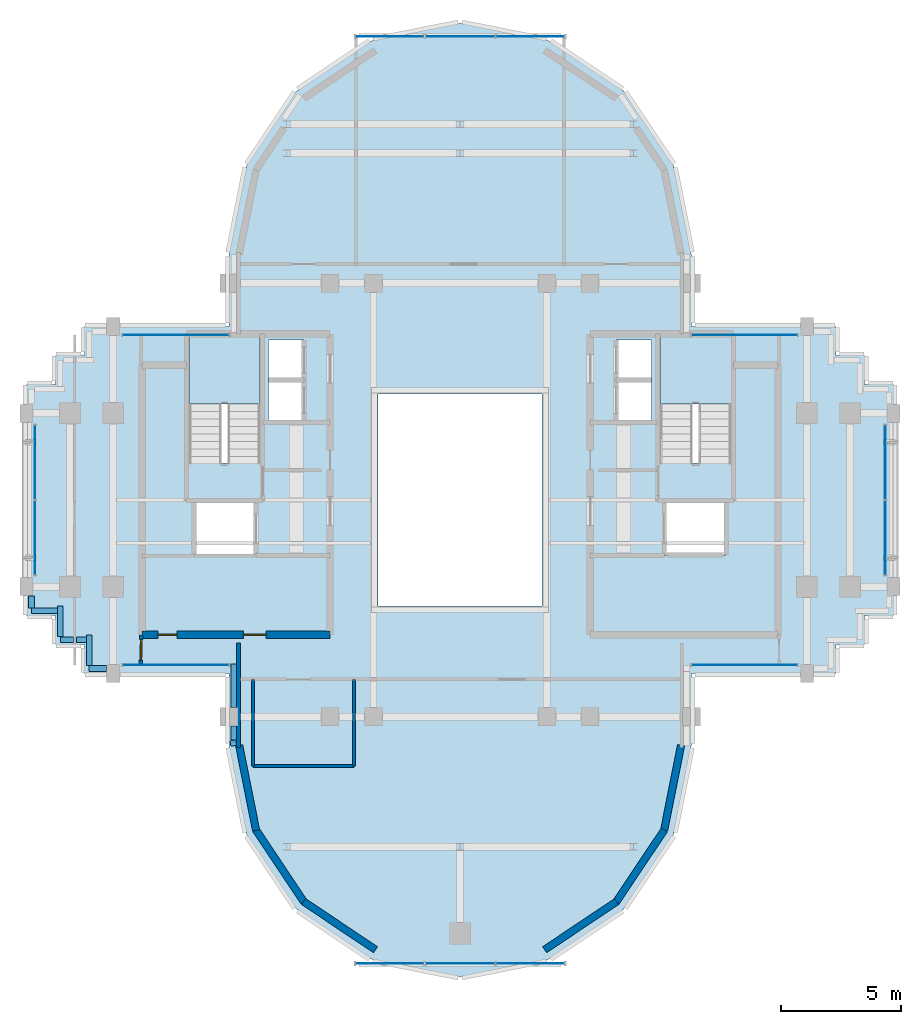
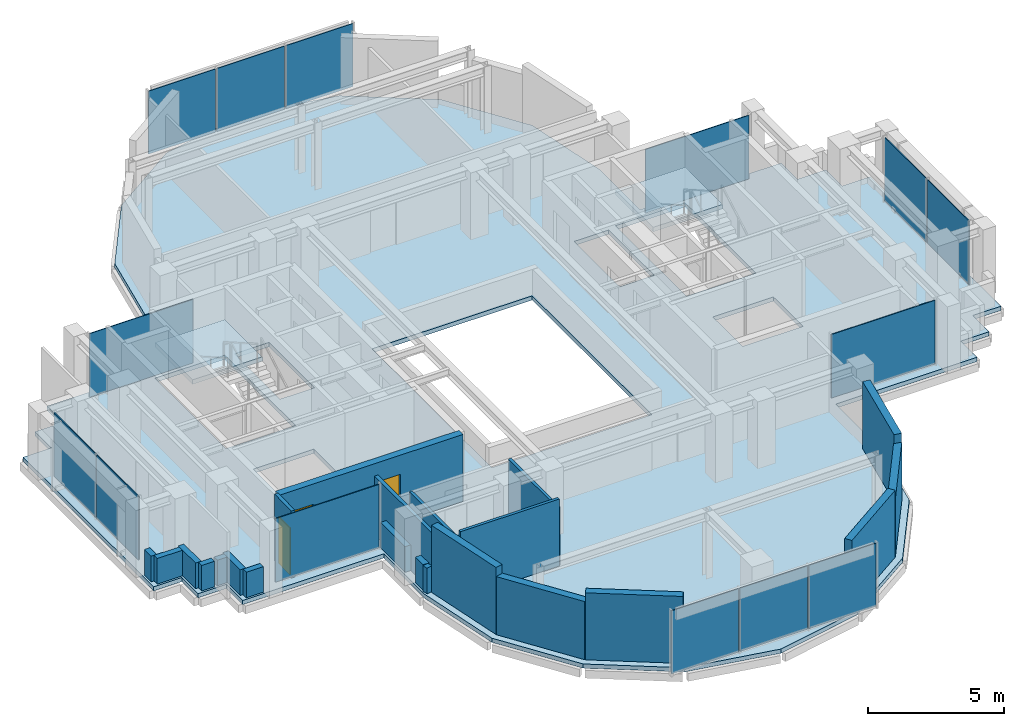
# One storey, part 7 of 12: 22 walls, 14 plates, 3 doors, 3 slabs, 3 openings, 10 elements without a shape of their own.
"""IFC4 building model written with IfcOpenShell, lengths in metres."""

from ifc_helpers import new_model, si_unit, direction, frame, frame_2d, origin, origin_2d, place, context, subcontext, project, spatial, polyline, rectangle, outline, extrude, source, transform, mapped, material, layer, layer_set, type_object, element, fill, aggregate, save


model = new_model("IFC4")

# Units and contexts
model_context = context("Model", 3, precision=1e-05, world=origin(), true_north=direction((0.0, 1.0)))
body_context = subcontext(model_context, "Body", "Model", "MODEL_VIEW")
ifc_project = project(units=[si_unit("LENGTHUNIT", "METRE"), si_unit("AREAUNIT", "SQUARE_METRE"), si_unit("VOLUMEUNIT", "CUBIC_METRE"), si_unit("PLANEANGLEUNIT", "RADIAN"), si_unit("MASSUNIT", "GRAM", prefix="KILO")], contexts=[model_context])

# Site, building, storey
site_placement = place(None, origin())
site = spatial("IfcSite", under=ifc_project, at=site_placement, CompositionType="ELEMENT")
building_placement = place(site_placement, origin())
building = spatial("IfcBuilding", under=site, at=building_placement, Name="Keilestroom Media Tower", CompositionType="ELEMENT")
storey_placement = place(building_placement, frame((0.0, 0.0, 246.0)))
storey = spatial("IfcBuildingStorey", under=building, at=storey_placement, Name="L68", CompositionType="ELEMENT", Elevation=246.0)

# Slab
ifc_material_1 = material(Name="Concrete C50/60", Category="concrete")
ifc_layer_1 = layer(ifc_material_1, 0.18994140625)
ifc_layer_set_1 = layer_set([ifc_layer_1], Name="Concrete C50/60")
slab_type_1 = type_object("IfcSlabType", Name="Composite-Floor-Slab-190", PredefinedType="FLOOR", material=ifc_layer_set_1)
slab_1_placement = place(storey_placement, frame((0.0, 0.0, -0.18994140625)))
element("IfcSlab", 1, at=slab_1_placement, inside=storey, type_object=slab_type_1, Name="L68 Structural Composite Floor Slab", PredefinedType="FLOOR", context=body_context, shape_type="SweptSolid", body=[
    extrude(outline(polyline([(18.0, -4.800048828125), (18.0, 4.800048828125), (16.800048828125, 4.800048828125), (16.800048828125, 6.0), (15.60009765625, 6.0), (15.60009765625, 7.199951171875), (9.60009765625, 7.199951171875), (9.60009765625, 9.60009765625), (9.60009765625, 10.199951171875), (8.869140625, 13.873779296875), (6.7880859375, 16.98828125), (3.673828125, 19.069091796875), (0.0, 19.800048828125), (-3.673828125, 19.069091796875), (-6.7880859375, 16.98828125), (-8.869140625, 13.873779296875), (-9.60009765625, 10.199951171875), (-9.60009765625, 9.60009765625), (-9.60009765625, 7.199951171875), (-15.60009765625, 7.199951171875), (-15.60009765625, 6.0), (-16.800048828125, 6.0), (-16.800048828125, 4.800048828125), (-18.0, 4.800048828125), (-18.0, -4.800048828125), (-16.800048828125, -4.800048828125), (-16.800048828125, -6.0), (-15.60009765625, -6.0), (-15.60009765625, -7.199951171875), (-9.60009765625, -7.199951171875), (-9.60009765625, -9.60009765625), (-9.60009765625, -10.199951171875), (-8.869140625, -13.873779296875), (-6.7880859375, -16.98828125), (-3.673828125, -19.069091796875), (0.0, -19.800048828125), (3.673828125, -19.069091796875), (6.7880859375, -16.98828125), (8.869140625, -13.873779296875), (9.60009765625, -10.199951171875), (9.60009765625, -9.60009765625), (9.60009765625, -7.199951171875), (15.60009765625, -7.199951171875), (15.60009765625, -6.0), (16.800048828125, -6.0), (16.800048828125, -4.800048828125), (18.0, -4.800048828125)]), holes=[polyline([(-8.300048828125, 1.544921875), (-11.260009765625, 1.544921875), (-11.260009765625, 6.760009765625), (-8.300048828125, 6.760009765625), (-8.300048828125, 1.544921875)]), polyline([(-8.47998046875, -2.280029296875), (-11.050048828125, -2.280029296875), (-11.050048828125, -0.10009765625), (-8.47998046875, -0.10009765625), (-8.47998046875, -2.280029296875)]), polyline([(-6.47998046875, 3.300048828125), (-7.949951171875, 3.300048828125), (-7.949951171875, 6.64990234375), (-6.47998046875, 6.64990234375), (-6.47998046875, 3.300048828125)]), polyline([(3.39990234375, -4.39990234375), (-3.39990234375, -4.39990234375), (-3.39990234375, 4.39990234375), (3.39990234375, 4.39990234375), (3.39990234375, -4.39990234375)]), polyline([(7.949951171875, 3.300048828125), (6.47998046875, 3.300048828125), (6.47998046875, 6.64990234375), (7.949951171875, 6.64990234375), (7.949951171875, 3.300048828125)]), polyline([(11.260009765625, 1.544921875), (8.300048828125, 1.544921875), (8.300048828125, 6.760009765625), (11.260009765625, 6.760009765625), (11.260009765625, 1.544921875)]), polyline([(11.050048828125, -2.280029296875), (8.47998046875, -2.280029296875), (8.47998046875, -0.10009765625), (11.050048828125, -0.10009765625), (11.050048828125, -2.280029296875)])]), origin(), (0.0, 0.0, 1.0), 0.18994140625),
])

# Stair, slab
ifc_material_2 = material(Name="Concrete C45/55", Category="concrete")
stair_type = type_object("IfcStairType", Name="Enclosed-Dog-Leg-Stair-ST-CORE", PredefinedType="HALF_TURN_STAIR", material=ifc_material_2)
stair_1_placement = place(storey_placement, origin())
stair_1 = element("IfcStair", 2, at=stair_1_placement, inside=storey, type_object=stair_type, Name="L68 West Core Escape Stair ST-1", PredefinedType="HALF_TURN_STAIR")
ifc_layer_2 = layer(ifc_material_2, 0.199951171875)
ifc_layer_set_2 = layer_set([ifc_layer_2], Name="Concrete C45/55")
slab_type_2 = type_object("IfcSlabType", Name="Stair-Intermediate-And-Top-Landing-Slab-200", PredefinedType="LANDING", material=ifc_layer_set_2)
slab_2_placement = place(storey_placement, frame((0.0, 0.0, 1.39990234375)))
slab_2 = element("IfcSlab", 3, at=slab_2_placement, type_object=slab_type_2, Name="ST-1 landing 1", PredefinedType="LANDING", context=body_context, shape_type="SweptSolid", body=[
    extrude(outline(polyline([(-8.300048828125, 3.99609375), (-8.300048828125, 6.760009765625), (-11.260009765625, 6.760009765625), (-11.260009765625, 3.99609375), (-8.300048828125, 3.99609375)])), origin(), (0.0, 0.0, 1.0), 0.2001953125),
])
aggregate(stair_1, [slab_2])

stair_2_placement = place(storey_placement, origin())
stair_2 = element("IfcStair", 4, at=stair_2_placement, inside=storey, type_object=stair_type, Name="L68 East Core Escape Stair ST-2", PredefinedType="HALF_TURN_STAIR")
slab_3_placement = place(storey_placement, frame((0.0, 0.0, 1.39990234375)))
slab_3 = element("IfcSlab", 5, at=slab_3_placement, type_object=slab_type_2, Name="ST-2 landing 1", PredefinedType="LANDING", context=body_context, shape_type="SweptSolid", body=[
    extrude(outline(polyline([(11.260009765625, 3.99609375), (11.260009765625, 6.760009765625), (8.300048828125, 6.760009765625), (8.300048828125, 3.99609375), (11.260009765625, 3.99609375)])), origin(), (0.0, 0.0, 1.0), 0.2001953125),
])
aggregate(stair_2, [slab_3])

# Curtain wall, plates
ifc_material_3 = material(Name="Anodised Aluminium Alloy", Category="aluminium")
curtain_wall_type_1 = type_object("IfcCurtainWallType", Name="Unitised-Curtain-Wall-CW-6", PredefinedType="NOTDEFINED", material=ifc_material_3)
curtain_wall_1_placement = place(storey_placement, origin())
curtain_wall_1 = element("IfcCurtainWall", 6, at=curtain_wall_1_placement, inside=storey, type_object=curtain_wall_type_1, Name="L68 Curtain Wall CW-6 CW-L68-LN-1", PredefinedType="NOTDEFINED")
ifc_material_4 = material(Name="Curved-Facet Triple Glazed Unit", Category="glass")
ifc_layer_3 = layer(ifc_material_4, 0.033935546875)
ifc_layer_set_3 = layer_set([ifc_layer_3], Name="Curved-Facet Triple Glazed Unit")
plate_type_1 = type_object("IfcPlateType", Name="Insulated-Curtain-Wall-Glazing-Panel-CW-6", PredefinedType="CURTAIN_PANEL", material=ifc_layer_set_3)
shared_shape_1 = source(origin(), body_context, "Body", "SweptSolid", [
    extrude(rectangle(XDim=2.84375, YDim=0.033935546875, at=origin_2d()), origin(), (0.0, 0.0, 1.0), 2.833984375),
])
plate_1_placement = place(storey_placement, frame((-2.9169921875, 19.25, 0.072998046875), z_axis=(0.0, 0.0, 1.0), x_axis=(1.0, 0.0, 0.0)))
plate_1 = element("IfcPlate", 7, at=plate_1_placement, type_object=plate_type_1, Name="CW-6 Unitised Glazing 00", PredefinedType="CURTAIN_PANEL", context=body_context, shape_type="MappedRepresentation", body=[
    mapped(shared_shape_1, transform((0.0, 0.0, 0.0), x_axis=(1.0, 0.0, 0.0), y_axis=(0.0, 1.0, 0.0), z_axis=(0.0, 0.0, 1.0), scale=1.0)),
])
plate_2_placement = place(storey_placement, frame((2.9169921875, 19.25, 0.072998046875), z_axis=(0.0, 0.0, 1.0), x_axis=(1.0, 0.0, 0.0)))
plate_2 = element("IfcPlate", 8, at=plate_2_placement, type_object=plate_type_1, Name="CW-6 Unitised Glazing 02", PredefinedType="CURTAIN_PANEL", context=body_context, shape_type="MappedRepresentation", body=[
    mapped(shared_shape_1, transform((0.0, 0.0, 0.0), x_axis=(1.0, 0.0, 0.0), y_axis=(0.0, 1.0, 0.0), z_axis=(0.0, 0.0, 1.0), scale=1.0)),
])

curtain_wall_2_placement = place(storey_placement, origin())
curtain_wall_2 = element("IfcCurtainWall", 9, at=curtain_wall_2_placement, inside=storey, type_object=curtain_wall_type_1, Name="L68 Curtain Wall CW-6 CW-L68-LS-1", PredefinedType="NOTDEFINED")
plate_3_placement = place(storey_placement, frame((-2.9169921875, -19.25, 0.072998046875), z_axis=(0.0, 0.0, 1.0), x_axis=(1.0, 0.0, 0.0)))
plate_3 = element("IfcPlate", 10, at=plate_3_placement, type_object=plate_type_1, Name="CW-6 Unitised Glazing 00", PredefinedType="CURTAIN_PANEL", context=body_context, shape_type="MappedRepresentation", body=[
    mapped(shared_shape_1, transform((0.0, 0.0, 0.0), x_axis=(1.0, 0.0, 0.0), y_axis=(0.0, 1.0, 0.0), z_axis=(0.0, 0.0, 1.0), scale=1.0)),
])
plate_4_placement = place(storey_placement, frame((2.9169921875, -19.25, 0.072998046875), z_axis=(0.0, 0.0, 1.0), x_axis=(1.0, 0.0, 0.0)))
plate_4 = element("IfcPlate", 11, at=plate_4_placement, type_object=plate_type_1, Name="CW-6 Unitised Glazing 02", PredefinedType="CURTAIN_PANEL", context=body_context, shape_type="MappedRepresentation", body=[
    mapped(shared_shape_1, transform((0.0, 0.0, 0.0), x_axis=(1.0, 0.0, 0.0), y_axis=(0.0, 1.0, 0.0), z_axis=(0.0, 0.0, 1.0), scale=1.0)),
])

# Plate
shared_shape_2 = source(origin(), body_context, "Body", "SweptSolid", [
    extrude(rectangle(XDim=2.876220703125, YDim=0.033935546875, at=origin_2d()), origin(), (0.0, 0.0, 1.0), 2.833984375),
])
plate_5_placement = place(storey_placement, frame((0.0, 19.25, 0.072998046875), z_axis=(0.0, 0.0, 1.0), x_axis=(1.0, 0.0, 0.0)))
plate_5 = element("IfcPlate", 12, at=plate_5_placement, type_object=plate_type_1, Name="CW-6 Unitised Glazing 01", PredefinedType="CURTAIN_PANEL", context=body_context, shape_type="MappedRepresentation", body=[
    mapped(shared_shape_2, transform((0.0, 0.0, 0.0), x_axis=(1.0, 0.0, 0.0), y_axis=(0.0, 1.0, 0.0), z_axis=(0.0, 0.0, 1.0), scale=1.0)),
])

aggregate(curtain_wall_1, [plate_1, plate_5, plate_2])

plate_6_placement = place(storey_placement, frame((0.0, -19.25, 0.072998046875), z_axis=(0.0, 0.0, 1.0), x_axis=(1.0, 0.0, 0.0)))
plate_6 = element("IfcPlate", 13, at=plate_6_placement, type_object=plate_type_1, Name="CW-6 Unitised Glazing 01", PredefinedType="CURTAIN_PANEL", context=body_context, shape_type="MappedRepresentation", body=[
    mapped(shared_shape_2, transform((0.0, 0.0, 0.0), x_axis=(1.0, 0.0, 0.0), y_axis=(0.0, 1.0, 0.0), z_axis=(0.0, 0.0, 1.0), scale=1.0)),
])

aggregate(curtain_wall_2, [plate_3, plate_6, plate_4])

# Curtain wall, plates
curtain_wall_type_2 = type_object("IfcCurtainWallType", Name="Unitised-Curtain-Wall-CW-4", PredefinedType="NOTDEFINED", material=ifc_material_3)
curtain_wall_3_placement = place(storey_placement, origin())
curtain_wall_3 = element("IfcCurtainWall", 14, at=curtain_wall_3_placement, inside=storey, type_object=curtain_wall_type_2, Name="L68 Curtain Wall CW-4 CW-L68-W-1", PredefinedType="NOTDEFINED")
ifc_material_5 = material(Name="Triple Glazed Solar-Control Unit", Category="glass")
ifc_layer_4 = layer(ifc_material_5, 0.035888671875)
ifc_layer_set_4 = layer_set([ifc_layer_4], Name="Triple Glazed Solar-Control Unit")
plate_type_2 = type_object("IfcPlateType", Name="Insulated-Curtain-Wall-Glazing-Panel-CW-4", PredefinedType="CURTAIN_PANEL", material=ifc_layer_set_4)
shared_shape_3 = source(origin(), body_context, "Body", "SweptSolid", [
    extrude(rectangle(XDim=3.0830078125, YDim=0.035888671875, at=origin_2d()), origin(), (0.0, 0.0, 1.0), 2.85400390625),
])
plate_7_placement = place(storey_placement, frame((-17.64990234375, -1.5673828125, 0.06298828125), z_axis=(0.0, 0.0, 1.0), x_axis=(0.0, 1.0, 0.0)))
plate_7 = element("IfcPlate", 15, at=plate_7_placement, type_object=plate_type_2, Name="CW-4 Unitised Glazing 00", PredefinedType="CURTAIN_PANEL", context=body_context, shape_type="MappedRepresentation", body=[
    mapped(shared_shape_3, transform((0.0, 0.0, 0.0), x_axis=(1.0, 0.0, 0.0), y_axis=(0.0, 1.0, 0.0), z_axis=(0.0, 0.0, 1.0), scale=1.0)),
])
plate_8_placement = place(storey_placement, frame((-17.64990234375, 1.5673828125, 0.06298828125), z_axis=(0.0, 0.0, 1.0), x_axis=(0.0, 1.0, 0.0)))
plate_8 = element("IfcPlate", 16, at=plate_8_placement, type_object=plate_type_2, Name="CW-4 Unitised Glazing 01", PredefinedType="CURTAIN_PANEL", context=body_context, shape_type="MappedRepresentation", body=[
    mapped(shared_shape_3, transform((0.0, 0.0, 0.0), x_axis=(1.0, 0.0, 0.0), y_axis=(0.0, 1.0, 0.0), z_axis=(0.0, 0.0, 1.0), scale=1.0)),
])
aggregate(curtain_wall_3, [plate_7, plate_8])

curtain_wall_4_placement = place(storey_placement, origin())
curtain_wall_4 = element("IfcCurtainWall", 17, at=curtain_wall_4_placement, inside=storey, type_object=curtain_wall_type_2, Name="L68 Curtain Wall CW-4 CW-L68-E-1", PredefinedType="NOTDEFINED")
plate_9_placement = place(storey_placement, frame((17.64990234375, -1.5673828125, 0.06298828125), z_axis=(0.0, 0.0, 1.0), x_axis=(0.0, 1.0, 0.0)))
plate_9 = element("IfcPlate", 18, at=plate_9_placement, type_object=plate_type_2, Name="CW-4 Unitised Glazing 00", PredefinedType="CURTAIN_PANEL", context=body_context, shape_type="MappedRepresentation", body=[
    mapped(shared_shape_3, transform((0.0, 0.0, 0.0), x_axis=(1.0, 0.0, 0.0), y_axis=(0.0, 1.0, 0.0), z_axis=(0.0, 0.0, 1.0), scale=1.0)),
])
plate_10_placement = place(storey_placement, frame((17.64990234375, 1.5673828125, 0.06298828125), z_axis=(0.0, 0.0, 1.0), x_axis=(0.0, 1.0, 0.0)))
plate_10 = element("IfcPlate", 19, at=plate_10_placement, type_object=plate_type_2, Name="CW-4 Unitised Glazing 01", PredefinedType="CURTAIN_PANEL", context=body_context, shape_type="MappedRepresentation", body=[
    mapped(shared_shape_3, transform((0.0, 0.0, 0.0), x_axis=(1.0, 0.0, 0.0), y_axis=(0.0, 1.0, 0.0), z_axis=(0.0, 0.0, 1.0), scale=1.0)),
])
aggregate(curtain_wall_4, [plate_9, plate_10])

# Curtain wall, plate
curtain_wall_5_placement = place(storey_placement, origin())
curtain_wall_5 = element("IfcCurtainWall", 20, at=curtain_wall_5_placement, inside=storey, type_object=curtain_wall_type_2, Name="L68 Curtain Wall CW-4 CW-L68-NW-1", PredefinedType="NOTDEFINED")
shared_shape_4 = source(origin(), body_context, "Body", "SweptSolid", [
    extrude(rectangle(XDim=4.403076171875, YDim=0.035888671875, at=origin_2d()), origin(), (0.0, 0.0, 1.0), 2.85400390625),
])
plate_11_placement = place(storey_placement, frame((-11.8076171875, 6.85009765625, 0.06298828125), z_axis=(0.0, 0.0, 1.0), x_axis=(1.0, 0.0, 0.0)))
plate_11 = element("IfcPlate", 21, at=plate_11_placement, type_object=plate_type_2, Name="CW-4 Unitised Glazing 00", PredefinedType="CURTAIN_PANEL", context=body_context, shape_type="MappedRepresentation", body=[
    mapped(shared_shape_4, transform((0.0, 0.0, 0.0), x_axis=(1.0, 0.0, 0.0), y_axis=(0.0, 1.0, 0.0), z_axis=(0.0, 0.0, 1.0), scale=1.0)),
])
aggregate(curtain_wall_5, [plate_11])

curtain_wall_6_placement = place(storey_placement, origin())
curtain_wall_6 = element("IfcCurtainWall", 22, at=curtain_wall_6_placement, inside=storey, type_object=curtain_wall_type_2, Name="L68 Curtain Wall CW-4 CW-L68-NE-1", PredefinedType="NOTDEFINED")
plate_12_placement = place(storey_placement, frame((11.8076171875, 6.85009765625, 0.06298828125), z_axis=(0.0, 0.0, 1.0), x_axis=(1.0, 0.0, 0.0)))
plate_12 = element("IfcPlate", 23, at=plate_12_placement, type_object=plate_type_2, Name="CW-4 Unitised Glazing 00", PredefinedType="CURTAIN_PANEL", context=body_context, shape_type="MappedRepresentation", body=[
    mapped(shared_shape_4, transform((0.0, 0.0, 0.0), x_axis=(1.0, 0.0, 0.0), y_axis=(0.0, 1.0, 0.0), z_axis=(0.0, 0.0, 1.0), scale=1.0)),
])
aggregate(curtain_wall_6, [plate_12])

curtain_wall_7_placement = place(storey_placement, origin())
curtain_wall_7 = element("IfcCurtainWall", 24, at=curtain_wall_7_placement, inside=storey, type_object=curtain_wall_type_2, Name="L68 Curtain Wall CW-4 CW-L68-SW-1", PredefinedType="NOTDEFINED")
plate_13_placement = place(storey_placement, frame((-11.8076171875, -6.85009765625, 0.06298828125), z_axis=(0.0, 0.0, 1.0), x_axis=(1.0, 0.0, 0.0)))
plate_13 = element("IfcPlate", 25, at=plate_13_placement, type_object=plate_type_2, Name="CW-4 Unitised Glazing 00", PredefinedType="CURTAIN_PANEL", context=body_context, shape_type="MappedRepresentation", body=[
    mapped(shared_shape_4, transform((0.0, 0.0, 0.0), x_axis=(1.0, 0.0, 0.0), y_axis=(0.0, 1.0, 0.0), z_axis=(0.0, 0.0, 1.0), scale=1.0)),
])
aggregate(curtain_wall_7, [plate_13])

curtain_wall_8_placement = place(storey_placement, origin())
curtain_wall_8 = element("IfcCurtainWall", 26, at=curtain_wall_8_placement, inside=storey, type_object=curtain_wall_type_2, Name="L68 Curtain Wall CW-4 CW-L68-SE-1", PredefinedType="NOTDEFINED")
plate_14_placement = place(storey_placement, frame((11.8076171875, -6.85009765625, 0.06298828125), z_axis=(0.0, 0.0, 1.0), x_axis=(1.0, 0.0, 0.0)))
plate_14 = element("IfcPlate", 27, at=plate_14_placement, type_object=plate_type_2, Name="CW-4 Unitised Glazing 00", PredefinedType="CURTAIN_PANEL", context=body_context, shape_type="MappedRepresentation", body=[
    mapped(shared_shape_4, transform((0.0, 0.0, 0.0), x_axis=(1.0, 0.0, 0.0), y_axis=(0.0, 1.0, 0.0), z_axis=(0.0, 0.0, 1.0), scale=1.0)),
])
aggregate(curtain_wall_8, [plate_14])

# Walls
ifc_material_6 = material(Name="Precast concrete C40/50", Category="concrete")
ifc_layer_5 = layer(ifc_material_6, 0.300048828125)
ifc_layer_set_5 = layer_set([ifc_layer_5], Name="Precast concrete C40/50")
wall_type_1 = type_object("IfcWallType", Name="Exterior-Masonry-Spandrel-Wall-300", PredefinedType="SOLIDWALL", material=ifc_layer_set_5)
wall_1_placement = place(storey_placement, frame((-9.1748046875, -10.185302734375, 0.0), z_axis=(0.0, 0.0, 1.0), x_axis=(0.195114232679, -0.980780523974, 0.0)))
element("IfcWall", 28, at=wall_1_placement, inside=storey, type_object=wall_type_1, Name="L68 Lobe Facet Precast Frame Wall 07", PredefinedType="SOLIDWALL", context=body_context, shape_type="SweptSolid", body=[
    extrude(rectangle(XDim=3.608642578125, YDim=0.300048828125, at=frame_2d((1.80419921875, 0.0))), origin(), (0.0, 0.0, 1.0), 3.010009765625),
])
wall_2_placement = place(storey_placement, frame((-8.48193359375, -13.697509765625, 0.0), z_axis=(0.0, 0.0, 1.0), x_axis=(0.555574187116, -0.831466970246, 0.0)))
element("IfcWall", 29, at=wall_2_placement, inside=storey, type_object=wall_type_1, Name="L68 Lobe Facet Precast Frame Wall 08", PredefinedType="SOLIDWALL", context=body_context, shape_type="SweptSolid", body=[
    extrude(rectangle(XDim=3.608642578125, YDim=0.300048828125, at=frame_2d((1.80419921875, 0.0))), origin(), (0.0, 0.0, 1.0), 2.610107421875),
])
for number, where, z_axis, x_axis, name in (
    (30, (-6.497802734375, -16.677001953125, 0.0), (0.0, 0.0, 1.0), (0.831443568068, -0.555609208993, 0.0), "L68 Lobe Facet Precast Frame Wall 09"),
    (31, (3.510009765625, -18.673583984375, 0.0), (0.0, 0.0, 1.0), (0.831443568068, 0.555609208993, 0.0), "L68 Lobe Facet Precast Frame Wall 10"),
):
    element("IfcWall", number, at=place(storey_placement, frame(where, z_axis=z_axis, x_axis=x_axis)), inside=storey, type_object=wall_type_1, Name=name, PredefinedType="SOLIDWALL", context=body_context, shape_type="SweptSolid", body=[
        extrude(rectangle(XDim=3.593505859375, YDim=0.300048828125, at=frame_2d((1.796875, 0.0))), origin(), (0.0, 0.0, 1.0), 3.010009765625),
    ])
wall_3_placement = place(storey_placement, frame((6.47705078125, -16.697998046875, 0.0), z_axis=(0.0, 0.0, 1.0), x_axis=(0.555574187116, 0.831466970246, 0.0)))
element("IfcWall", 32, at=wall_3_placement, inside=storey, type_object=wall_type_1, Name="L68 Lobe Facet Precast Frame Wall 11", PredefinedType="SOLIDWALL", context=body_context, shape_type="SweptSolid", body=[
    extrude(rectangle(XDim=3.608642578125, YDim=0.300048828125, at=frame_2d((1.80419921875, 0.0))), origin(), (0.0, 0.0, 1.0), 2.610107421875),
])
wall_4_placement = place(storey_placement, frame((8.470703125, -13.724609375, 0.0), z_axis=(0.0, 0.0, 1.0), x_axis=(0.195114232679, 0.980780523974, 0.0)))
element("IfcWall", 33, at=wall_4_placement, inside=storey, type_object=wall_type_1, Name="L68 Lobe Facet Precast Frame Wall 12", PredefinedType="SOLIDWALL", context=body_context, shape_type="SweptSolid", body=[
    extrude(rectangle(XDim=3.608642578125, YDim=0.300048828125, at=frame_2d((1.80419921875, 0.0))), origin(), (0.0, 0.0, 1.0), 3.010009765625),
])
ifc_material_7 = material(Name="Gypsum Plasterboard & Steel Stud", Category="steel")
ifc_layer_6 = layer(ifc_material_7, 0.1201171875)
ifc_layer_set_6 = layer_set([ifc_layer_6], Name="Gypsum Plasterboard & Steel Stud")
wall_type_2 = type_object("IfcWallType", Name="Interior-Partition-Wall-120", PredefinedType="PARTITIONING", material=ifc_layer_set_6)
wall_5_placement = place(storey_placement, frame((-8.60009765625, -11.050048828125, 0.0), z_axis=(0.0, 0.0, 1.0), x_axis=(1.0, 0.0, 0.0)))
element("IfcWall", 34, at=wall_5_placement, inside=storey, type_object=wall_type_2, Name="L68 Interior Wall WP-L68-SL-WC4-S", PredefinedType="PARTITIONING", context=body_context, shape_type="SweptSolid", body=[
    extrude(rectangle(XDim=4.2001953125, YDim=0.1201171875, at=frame_2d((2.10009765625, 0.0))), origin(), (0.0, 0.0, 1.0), 3.010009765625),
])
for number, where, z_axis, x_axis, name in (
    (35, (-8.60009765625, -11.050048828125, 0.0), (0.0, 0.0, 1.0), (0.0, 1.0, 0.0), "L68 Interior Wall WP-L68-SL-WC4-W"),
    (36, (-4.39990234375, -11.050048828125, 0.0), (0.0, 0.0, 1.0), (0.0, 1.0, 0.0), "L68 Interior Wall WP-L68-SL-WC4-E"),
):
    element("IfcWall", number, at=place(storey_placement, frame(where, z_axis=z_axis, x_axis=x_axis)), inside=storey, type_object=wall_type_2, Name=name, PredefinedType="PARTITIONING", context=body_context, shape_type="SweptSolid", body=[
        extrude(rectangle(XDim=3.60009765625, YDim=0.1201171875, at=frame_2d((1.800048828125, 0.0))), origin(), (0.0, 0.0, 1.0), 2.610107421875),
    ])
ifc_layer_7 = layer(ifc_material_7, 0.14990234375)
ifc_layer_set_7 = layer_set([ifc_layer_7], Name="Gypsum Plasterboard & Steel Stud")
wall_type_3 = type_object("IfcWallType", Name="Interior-Partition-Wall-150", PredefinedType="PARTITIONING", material=ifc_layer_set_7)
wall_6_placement = place(storey_placement, frame((-9.199951171875, -10.280029296875, 0.0), z_axis=(0.0, 0.0, 1.0), x_axis=(0.0, 1.0, 0.0)))
element("IfcWall", 37, at=wall_6_placement, inside=storey, type_object=wall_type_3, Name="L68 Interior Wall WP-L68-SL-CHKW", PredefinedType="PARTITIONING", context=body_context, shape_type="SweptSolid", body=[
    extrude(rectangle(XDim=4.340087890625, YDim=0.14990234375, at=frame_2d((2.169921875, 0.0))), origin(), (0.0, 0.0, 1.0), 2.610107421875),
])

# Wall, opening, door
wall_7_placement = place(storey_placement, frame((-13.260009765625, -6.85009765625, 0.0), z_axis=(0.0, 0.0, 1.0), x_axis=(0.016013571389, 0.999871774545, 0.0)))
wall_7 = element("IfcWall", 38, at=wall_7_placement, inside=storey, type_object=wall_type_3, Name="L68 Interior Wall WP-L68-WA-ENTS", PredefinedType="PARTITIONING", context=body_context, shape_type="SweptSolid", body=[
    extrude(rectangle(XDim=1.250244140625, YDim=0.14990234375, at=frame_2d((0.625, 0.0))), origin(), (0.0, 0.0, 1.0), 3.010009765625),
])
opening_1_placement = place(wall_7_placement, frame((0.199951171875, 0.0, 0.0)))
opening_1 = element("IfcOpeningElement", 39, at=opening_1_placement, cuts=wall_7, Name="Opening DI-05", PredefinedType="OPENING", context=body_context, shape_type="SweptSolid", body=[
    extrude(rectangle(XDim=0.85009765625, YDim=2.10009765625, at=frame_2d((0.425048828125, 1.050048828125))), frame((0.0, 0.0849609375, 0.0), z_axis=(0.0, -1.0, 0.0), x_axis=(1.0, 0.0, 0.0)), (0.0, 0.0, 1.0), 0.169921875),
])
ifc_material_8 = material(Name="Moisture-Resistant Oak Leaf", Category="wood")
door_type_1 = type_object("IfcDoorType", Name="Interior-En-Suite-And-Cupboard-Door-DI-05", OperationType="NOTDEFINED", PredefinedType="DOOR", material=ifc_material_8)
shared_shape_5 = source(origin(), body_context, "Body", "SweptSolid", [
    extrude(rectangle(XDim=0.85009765625, YDim=2.10009765625, at=frame_2d((0.425048828125, 1.050048828125))), frame((0.0, 0.02490234375, 0.0), z_axis=(0.0, -1.0, 0.0), x_axis=(1.0, 0.0, 0.0)), (0.0, 0.0, 1.0), 0.050048828125),
])
door_1_placement = place(opening_1_placement, origin())
door_1 = element("IfcDoor", 40, at=door_1_placement, inside=storey, type_object=door_type_1, Name="L68 Interior Door DI-L68-DWA-E", OperationType="SINGLE_SWING_RIGHT", OverallHeight=2.10009765625, OverallWidth=0.85009765625, PredefinedType="DOOR", context=body_context, shape_type="MappedRepresentation", body=[
    mapped(shared_shape_5, transform((0.0, 0.0, 0.0), x_axis=(1.0, 0.0, 0.0), y_axis=(0.0, 1.0, 0.0), z_axis=(0.0, 0.0, 1.0), scale=1.0)),
])
fill(opening_1, door_1)

# Wall, openings, doors
ifc_layer_8 = layer(ifc_material_1, 0.300048828125)
ifc_layer_set_8 = layer_set([ifc_layer_8], Name="Concrete C50/60")
wall_type_4 = type_object("IfcWallType", Name="Reinforced-Concrete-Core-Shear-Wall-300", PredefinedType="SHEAR", material=ifc_layer_set_8)
wall_8_placement = place(storey_placement, frame((-13.199951171875, -5.60009765625, 0.0), z_axis=(0.0, 0.0, 1.0), x_axis=(1.0, 0.0, 0.0)))
wall_8 = element("IfcWall", 41, at=wall_8_placement, inside=storey, type_object=wall_type_4, Name="L68 Core Shear Wall WL-L68-CORE-W-S", PredefinedType="SHEAR", context=body_context, shape_type="SweptSolid", body=[
    extrude(rectangle(XDim=7.800048828125, YDim=0.300048828125, at=frame_2d((3.89990234375, 0.0))), origin(), (0.0, 0.0, 1.0), 3.010009765625),
])
opening_2_placement = place(wall_8_placement, frame((0.64990234375, 0.0, 0.0)))
opening_2 = element("IfcOpeningElement", 42, at=opening_2_placement, cuts=wall_8, Name="Opening DI-06", PredefinedType="OPENING", context=body_context, shape_type="SweptSolid", body=[
    extrude(rectangle(XDim=0.800048828125, YDim=2.10009765625, at=frame_2d((0.39990234375, 1.050048828125))), frame((0.0, 0.16015625, 0.0), z_axis=(0.0, -1.0, 0.0), x_axis=(1.0, 0.0, 0.0)), (0.0, 0.0, 1.0), 0.320068359375),
])
opening_3_placement = place(wall_8_placement, frame((4.199951171875, 0.0, 0.0)))
opening_3 = element("IfcOpeningElement", 43, at=opening_3_placement, cuts=wall_8, Name="Opening DI-03", PredefinedType="OPENING", context=body_context, shape_type="SweptSolid", body=[
    extrude(rectangle(XDim=0.949951171875, YDim=2.14990234375, at=frame_2d((0.47509765625, 1.074951171875))), frame((0.0, 0.16015625, 0.0), z_axis=(0.0, -1.0, 0.0), x_axis=(1.0, 0.0, 0.0)), (0.0, 0.0, 1.0), 0.320068359375),
])
ifc_material_9 = material(Name="Powder-Coated Steel Service Leaf", Category="steel")
door_type_2 = type_object("IfcDoorType", Name="Interior-Riser-Access-Door-DI-06", OperationType="NOTDEFINED", PredefinedType="DOOR", material=ifc_material_9)
shared_shape_6 = source(origin(), body_context, "Body", "SweptSolid", [
    extrude(rectangle(XDim=0.800048828125, YDim=2.10009765625, at=frame_2d((0.39990234375, 1.050048828125))), frame((0.0, 0.02490234375, 0.0), z_axis=(0.0, -1.0, 0.0), x_axis=(1.0, 0.0, 0.0)), (0.0, 0.0, 1.0), 0.050048828125),
])
door_2_placement = place(opening_2_placement, origin())
door_2 = element("IfcDoor", 44, at=door_2_placement, inside=storey, type_object=door_type_2, Name="L68 Reclaimed West Core Room Door", OperationType="SINGLE_SWING_LEFT", OverallHeight=2.10009765625, OverallWidth=0.800048828125, PredefinedType="DOOR", context=body_context, shape_type="MappedRepresentation", body=[
    mapped(shared_shape_6, transform((0.0, 0.0, 0.0), x_axis=(1.0, 0.0, 0.0), y_axis=(0.0, 1.0, 0.0), z_axis=(0.0, 0.0, 1.0), scale=1.0)),
])
fill(opening_2, door_2)
ifc_material_10 = material(Name="Lacquered European Oak Leaf", Category="wood")
door_type_3 = type_object("IfcDoorType", Name="Interior-Room-And-Suite-Door-DI-03", OperationType="NOTDEFINED", PredefinedType="DOOR", material=ifc_material_10)
shared_shape_7 = source(origin(), body_context, "Body", "SweptSolid", [
    extrude(rectangle(XDim=0.949951171875, YDim=2.14990234375, at=frame_2d((0.47509765625, 1.074951171875))), frame((0.0, 0.02490234375, 0.0), z_axis=(0.0, -1.0, 0.0), x_axis=(1.0, 0.0, 0.0)), (0.0, 0.0, 1.0), 0.050048828125),
])
door_3_placement = place(opening_3_placement, origin())
door_3 = element("IfcDoor", 45, at=door_3_placement, inside=storey, type_object=door_type_3, Name="L68 Reclaimed Mid West Room Door", OperationType="SINGLE_SWING_LEFT", OverallHeight=2.14990234375, OverallWidth=0.949951171875, PredefinedType="DOOR", context=body_context, shape_type="MappedRepresentation", body=[
    mapped(shared_shape_7, transform((0.0, 0.0, 0.0), x_axis=(1.0, 0.0, 0.0), y_axis=(0.0, 1.0, 0.0), z_axis=(0.0, 0.0, 1.0), scale=1.0)),
])
fill(opening_3, door_3)

# Walls
ifc_layer_9 = layer(ifc_material_6, 0.239990234375)
ifc_layer_set_9 = layer_set([ifc_layer_9], Name="Precast concrete C40/50")
wall_type_5 = type_object("IfcWallType", Name="Roof-And-Terrace-Parapet-Wall-240", PredefinedType="PARAPET", material=ifc_layer_set_9)
wall_9_placement = place(storey_placement, frame((-9.395263671875, -10.2041015625, 0.0), z_axis=(0.0, 0.0, 1.0), x_axis=(-0.194859894132, 0.980831087221, 0.0)))
element("IfcWall", 46, at=wall_9_placement, inside=storey, type_object=wall_type_5, Name="L68 Perimeter Edge Parapet Wall 09", PredefinedType="PARAPET", context=body_context, shape_type="SweptSolid", body=[
    extrude(rectangle(XDim=0.224365234375, YDim=0.239990234375, at=frame_2d((0.1123046875, 0.0))), origin(), (0.0, 0.0, 1.0), 1.14990234375),
])
wall_10_placement = place(storey_placement, frame((-9.39990234375, -9.957763671875, 0.0), z_axis=(0.0, 0.0, 1.0), x_axis=(0.0, 1.0, 0.0)))
element("IfcWall", 47, at=wall_10_placement, inside=storey, type_object=wall_type_5, Name="L68 Perimeter Edge Parapet Wall 10", PredefinedType="PARAPET", context=body_context, shape_type="SweptSolid", body=[
    extrude(rectangle(XDim=0.579833984375, YDim=0.239990234375, at=frame_2d((0.2900390625, 0.0))), origin(), (0.0, 0.0, 1.0), 1.14990234375),
])
wall_11_placement = place(storey_placement, frame((-9.39990234375, -8.6220703125, 0.0), z_axis=(0.0, 0.0, 1.0), x_axis=(0.0, 1.0, 0.0)))
element("IfcWall", 48, at=wall_11_placement, inside=storey, type_object=wall_type_5, Name="L68 Perimeter Edge Parapet Wall 11", PredefinedType="PARAPET", context=body_context, shape_type="SweptSolid", body=[
    extrude(rectangle(XDim=1.802978515625, YDim=0.239990234375, at=frame_2d((0.9013671875, 0.0))), origin(), (0.0, 0.0, 1.0), 1.14990234375),
])
wall_12_placement = place(storey_placement, frame((-14.677978515625, -7.0, 0.0), z_axis=(0.0, 0.0, 1.0), x_axis=(-1.0, 0.0, 0.0)))
element("IfcWall", 49, at=wall_12_placement, inside=storey, type_object=wall_type_5, Name="L68 Perimeter Edge Parapet Wall 12", PredefinedType="PARAPET", context=body_context, shape_type="SweptSolid", body=[
    extrude(rectangle(XDim=0.721923828125, YDim=0.239990234375, at=frame_2d((0.36083984375, 0.0))), origin(), (0.0, 0.0, 1.0), 1.14990234375),
])
wall_13_placement = place(storey_placement, frame((-15.39990234375, -6.876953125, 0.0), z_axis=(0.0, 0.0, 1.0), x_axis=(0.0, 1.0, 0.0)))
element("IfcWall", 50, at=wall_13_placement, inside=storey, type_object=wall_type_5, Name="L68 Perimeter Edge Parapet Wall 13", PredefinedType="PARAPET", context=body_context, shape_type="SweptSolid", body=[
    extrude(rectangle(XDim=1.27685546875, YDim=0.239990234375, at=frame_2d((0.638427734375, 0.0))), origin(), (0.0, 0.0, 1.0), 1.14990234375),
])
wall_14_placement = place(storey_placement, frame((-15.52294921875, -5.800048828125, 0.0), z_axis=(0.0, 0.0, 1.0), x_axis=(-1.0, 0.0, 0.0)))
element("IfcWall", 51, at=wall_14_placement, inside=storey, type_object=wall_type_5, Name="L68 Perimeter Edge Parapet Wall 14", PredefinedType="PARAPET", context=body_context, shape_type="SweptSolid", body=[
    extrude(rectangle(XDim=0.4140625, YDim=0.239990234375, at=frame_2d((0.20703125, 0.0))), origin(), (0.0, 0.0, 1.0), 1.14990234375),
])
wall_15_placement = place(storey_placement, frame((-16.06298828125, -5.800048828125, 0.0), z_axis=(0.0, 0.0, 1.0), x_axis=(-1.0, 0.0, 0.0)))
element("IfcWall", 52, at=wall_15_placement, inside=storey, type_object=wall_type_5, Name="L68 Perimeter Edge Parapet Wall 15", PredefinedType="PARAPET", context=body_context, shape_type="SweptSolid", body=[
    extrude(rectangle(XDim=0.537109375, YDim=0.239990234375, at=frame_2d((0.2685546875, 0.0))), origin(), (0.0, 0.0, 1.0), 1.14990234375),
])
wall_16_placement = place(storey_placement, frame((-16.60009765625, -5.677001953125, 0.0), z_axis=(0.0, 0.0, 1.0), x_axis=(0.0, 1.0, 0.0)))
element("IfcWall", 53, at=wall_16_placement, inside=storey, type_object=wall_type_5, Name="L68 Perimeter Edge Parapet Wall 16", PredefinedType="PARAPET", context=body_context, shape_type="SweptSolid", body=[
    extrude(rectangle(XDim=1.277099609375, YDim=0.239990234375, at=frame_2d((0.638671875, 0.0))), origin(), (0.0, 0.0, 1.0), 1.14990234375),
])
wall_17_placement = place(storey_placement, frame((-16.722900390625, -4.60009765625, 0.0), z_axis=(0.0, 0.0, 1.0), x_axis=(-1.0, 0.0, 0.0)))
element("IfcWall", 54, at=wall_17_placement, inside=storey, type_object=wall_type_5, Name="L68 Perimeter Edge Parapet Wall 17", PredefinedType="PARAPET", context=body_context, shape_type="SweptSolid", body=[
    extrude(rectangle(XDim=1.0771484375, YDim=0.239990234375, at=frame_2d((0.53857421875, 0.0))), origin(), (0.0, 0.0, 1.0), 1.14990234375),
])
wall_18_placement = place(storey_placement, frame((-17.800048828125, -4.47705078125, 0.0), z_axis=(0.0, 0.0, 1.0), x_axis=(0.0, 1.0, 0.0)))
element("IfcWall", 55, at=wall_18_placement, inside=storey, type_object=wall_type_5, Name="L68 Perimeter Edge Parapet Wall 18", PredefinedType="PARAPET", context=body_context, shape_type="SweptSolid", body=[
    extrude(rectangle(XDim=0.4990234375, YDim=0.239990234375, at=frame_2d((0.24951171875, 0.0))), origin(), (0.0, 0.0, 1.0), 1.14990234375),
])

save(model, "model.ifc")
